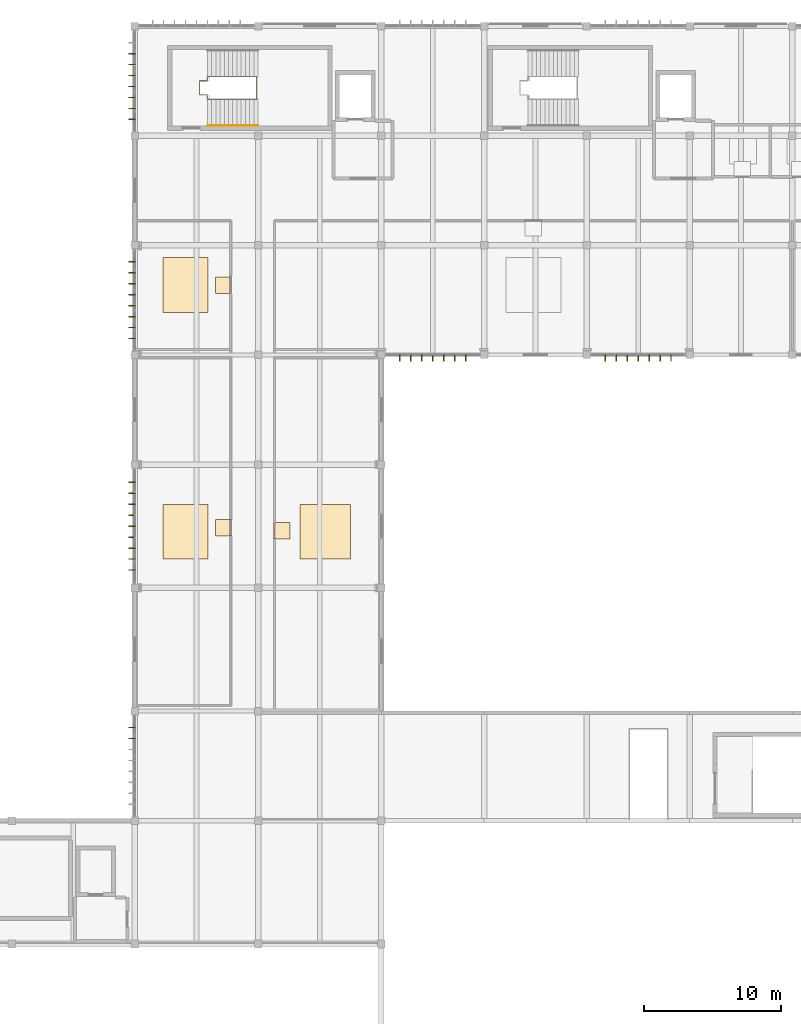
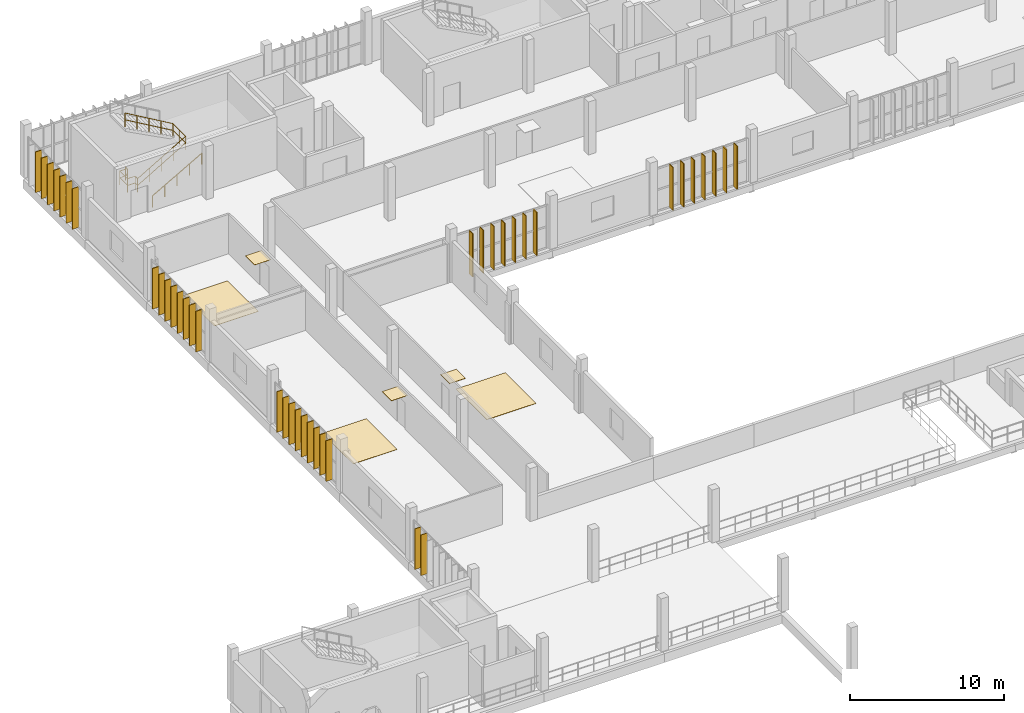
# One storey, part 54 of 61: 40 shading devices, 6 coverings, 3 railings.
"""IFC4 building model written with IfcOpenShell, lengths in metres."""

from ifc_helpers import new_model, si_unit, direction, frame, origin, origin_2d, place, context, subcontext, project, spatial, rectangle, circle, extrude, material, layer, layer_set, material_profile, profile_set, type_object, element, save


model = new_model("IFC4")

# Units and contexts
model_context = context("Model", 3, precision=1e-05, world=origin(), true_north=direction((0.0, 1.0)))
body_context = subcontext(model_context, "Body", "Model", "MODEL_VIEW")
ifc_project = project(units=[si_unit("LENGTHUNIT", "METRE"), si_unit("AREAUNIT", "SQUARE_METRE"), si_unit("VOLUMEUNIT", "CUBIC_METRE"), si_unit("PLANEANGLEUNIT", "RADIAN"), si_unit("MASSUNIT", "GRAM", prefix="KILO")], contexts=[model_context])

# Site, building, storey
site_placement = place(None, origin())
site = spatial("IfcSite", under=ifc_project, at=site_placement, CompositionType="ELEMENT")
building_placement = place(site_placement, origin())
building = spatial("IfcBuilding", under=site, at=building_placement, Name="Vourika Railside Aquatics Centre", CompositionType="ELEMENT")
storey_placement = place(building_placement, frame((0.0, 0.0, 9.300048828125)))
storey = spatial("IfcBuildingStorey", under=building, at=storey_placement, Name="L02", CompositionType="ELEMENT", Elevation=9.300048828125)

# Coverings
ifc_material_1 = material(Name="Perforated moisture-resistant acoustic gypsum ceiling")
ifc_layer_1 = layer(ifc_material_1, 0.02490234375, Name="COV-CEIL-25")
ifc_layer_set_1 = layer_set([ifc_layer_1], Name="Perforated moisture-resistant acoustic gypsum ceiling")
covering_type_1 = type_object("IfcCoveringType", Name="COV-CEIL-25", PredefinedType="CEILING", material=ifc_layer_set_1)
for number, where, z_axis, x_axis, name in (
    (1, (24.47998046875, 97.10009765625, 2.637451171875), (0.0, 0.0, 1.0), (1.0, 0.0, 0.0), "Manual Therapy and Osteopathy Suite Acoustic Ceiling Panel"),
    (2, (24.47998046875, 79.375, 2.637451171875), (0.0, 0.0, 1.0), (1.0, 0.0, 0.0), "Athlete Sports Psychology Consultation Rooms Acoustic Ceiling Panel"),
    (3, (28.719970703125, 79.16748046875, 2.637451171875), (0.0, 0.0, 1.0), (1.0, 0.0, 0.0), "Event Accreditation and Results Processing Suite Acoustic Ceiling Panel"),
):
    element("IfcCovering", number, at=place(storey_placement, frame(where, z_axis=z_axis, x_axis=x_axis)), inside=storey, type_object=covering_type_1, Name=name, PredefinedType="CEILING", context=body_context, shape_type="SweptSolid", body=[
        extrude(rectangle(XDim=1.199951171875, YDim=1.199951171875, at=origin_2d()), origin(), (0.0, 0.0, 1.0), 0.02490234375),
    ])
ifc_material_2 = material(Name="Slip-resistant aqua ceramic sports flooring")
ifc_layer_2 = layer(ifc_material_2, 0.02001953125, Name="COV-FLOR-20")
ifc_layer_set_2 = layer_set([ifc_layer_2], Name="Slip-resistant aqua ceramic sports flooring")
covering_type_2 = type_object("IfcCoveringType", Name="COV-FLOR-20", PredefinedType="FLOORING", material=ifc_layer_set_2)
for number, where, z_axis, x_axis, name in (
    (4, (21.699951171875, 97.10009765625, 0.0), (0.0, 0.0, 1.0), (1.0, 0.0, 0.0), "Manual Therapy and Osteopathy Suite Sports Flooring Panel"),
    (5, (21.699951171875, 79.10009765625, 0.0), (0.0, 0.0, 1.0), (1.0, 0.0, 0.0), "Athlete Sports Psychology Consultation Rooms Sports Flooring Panel"),
):
    element("IfcCovering", number, at=place(storey_placement, frame(where, z_axis=z_axis, x_axis=x_axis)), inside=storey, type_object=covering_type_2, Name=name, PredefinedType="FLOORING", context=body_context, shape_type="SweptSolid", body=[
        extrude(rectangle(XDim=3.300048828125, YDim=4.0, at=origin_2d()), origin(), (0.0, 0.0, 1.0), 0.02001953125),
    ])
covering_placement = place(storey_placement, frame((31.89990234375, 79.10009765625, 0.0), z_axis=(0.0, 0.0, 1.0), x_axis=(1.0, 0.0, 0.0)))
element("IfcCovering", 6, at=covering_placement, inside=storey, type_object=covering_type_2, Name="Event Accreditation and Results Processing Suite Sports Flooring Panel", PredefinedType="FLOORING", context=body_context, shape_type="SweptSolid", body=[
    extrude(rectangle(XDim=3.699951171875, YDim=4.0, at=origin_2d()), origin(), (0.0, 0.0, 1.0), 0.02001953125),
])

# Railings
ifc_material_3 = material(Name="Duplex stainless steel EN 1.4462", Category="steel")
railing_type_1 = type_object("IfcRailingType", Name="RL-HAND-920", PredefinedType="HANDRAIL", material=ifc_material_3)
railing_1_placement = place(storey_placement, frame((23.300048828125, 108.760009765625, 0.0)))
element("IfcRailing", 7, at=railing_1_placement, inside=storey, type_object=railing_type_1, Name="Protected Exit Stair Core ST01 Lower Wall Handrail (L02)", PredefinedType="HANDRAIL", context=body_context, shape_type="SweptSolid", body=[
    extrude(circle(Radius=0.02392578125, at=origin_2d()), frame((0.0, 0.0, 0.89599609375), z_axis=(0.869473936924, 0.0, 0.493978818382), x_axis=(0.0, 1.0, 0.0)), (0.0, 0.0, 1.0), 4.2509765625),
    extrude(circle(Radius=0.02099609375, at=origin_2d()), origin(), (0.0, 0.0, 1.0), 0.871826171875),
    extrude(circle(Radius=0.02099609375, at=origin_2d()), frame((0.924072265625, 0.0, 0.52490234375)), (0.0, 0.0, 1.0), 0.871826171875),
    extrude(circle(Radius=0.02099609375, at=origin_2d()), frame((1.84814453125, 0.0, 1.0498046875)), (0.0, 0.0, 1.0), 0.871826171875),
    extrude(circle(Radius=0.02099609375, at=origin_2d()), frame((2.77197265625, 0.0, 1.574951171875)), (0.0, 0.0, 1.0), 0.871826171875),
    extrude(circle(Radius=0.02099609375, at=origin_2d()), frame((3.696044921875, 0.0, 2.099853515625)), (0.0, 0.0, 1.0), 0.871826171875),
])
railing_type_2 = type_object("IfcRailingType", Name="RL-STAIR-1120", PredefinedType="BALUSTRADE", material=ifc_material_3)
railing_2_placement = place(storey_placement, frame((23.300048828125, 110.75, 0.0)))
element("IfcRailing", 8, at=railing_2_placement, inside=storey, type_object=railing_type_2, Name="Protected Exit Stair Core ST01 Well Edge Guard (L02)", PredefinedType="BALUSTRADE", context=body_context, shape_type="SweptSolid", body=[
    extrude(circle(Radius=0.02392578125, at=origin_2d()), frame((0.0, 0.0, 1.09619140625), z_axis=(0.0, 1.0, 0.0), x_axis=(-1.0, 0.0, 0.0)), (0.0, 0.0, 1.0), 0.25),
    extrude(circle(Radius=0.02392578125, at=origin_2d()), frame((0.0, 0.0, 0.56005859375), z_axis=(0.0, 1.0, 0.0), x_axis=(-1.0, 0.0, 0.0)), (0.0, 0.0, 1.0), 0.25),
    extrude(circle(Radius=0.02392578125, at=origin_2d()), frame((0.0, 0.25, 1.09619140625), z_axis=(-1.0, 0.0, 0.0), x_axis=(0.0, -1.0, 0.0)), (0.0, 0.0, 1.0), 0.570068359375),
    extrude(circle(Radius=0.02392578125, at=origin_2d()), frame((0.0, 0.25, 0.56005859375), z_axis=(-1.0, 0.0, 0.0), x_axis=(0.0, -1.0, 0.0)), (0.0, 0.0, 1.0), 0.570068359375),
    extrude(circle(Radius=0.02392578125, at=origin_2d()), frame((-0.570068359375, 0.25, 1.09619140625), z_axis=(0.0, 1.0, 0.0), x_axis=(-1.0, 0.0, 0.0)), (0.0, 0.0, 1.0), 1.0),
    extrude(circle(Radius=0.02392578125, at=origin_2d()), frame((-0.570068359375, 0.25, 0.56005859375), z_axis=(0.0, 1.0, 0.0), x_axis=(-1.0, 0.0, 0.0)), (0.0, 0.0, 1.0), 1.0),
    extrude(circle(Radius=0.02392578125, at=origin_2d()), frame((-0.570068359375, 1.25, 1.09619140625), z_axis=(1.0, 0.0, 0.0), x_axis=(0.0, 1.0, 0.0)), (0.0, 0.0, 1.0), 0.570068359375),
    extrude(circle(Radius=0.02392578125, at=origin_2d()), frame((-0.570068359375, 1.25, 0.56005859375), z_axis=(1.0, 0.0, 0.0), x_axis=(0.0, 1.0, 0.0)), (0.0, 0.0, 1.0), 0.570068359375),
    extrude(circle(Radius=0.02392578125, at=origin_2d()), frame((0.0, 1.25, 1.09619140625), z_axis=(0.0, 1.0, 0.0), x_axis=(-1.0, 0.0, 0.0)), (0.0, 0.0, 1.0), 0.25),
    extrude(circle(Radius=0.02392578125, at=origin_2d()), frame((0.0, 1.25, 0.56005859375), z_axis=(0.0, 1.0, 0.0), x_axis=(-1.0, 0.0, 0.0)), (0.0, 0.0, 1.0), 0.25),
    extrude(circle(Radius=0.02099609375, at=origin_2d()), origin(), (0.0, 0.0, 1.0), 1.072021484375),
    extrude(circle(Radius=0.02099609375, at=origin_2d()), frame((0.0, 0.25, 0.0)), (0.0, 0.0, 1.0), 1.072021484375),
    extrude(circle(Radius=0.02099609375, at=origin_2d()), frame((-0.570068359375, 0.25, 0.0)), (0.0, 0.0, 1.0), 1.072021484375),
    extrude(circle(Radius=0.02099609375, at=origin_2d()), frame((-0.570068359375, 1.25, 0.0)), (0.0, 0.0, 1.0), 1.072021484375),
    extrude(circle(Radius=0.02099609375, at=origin_2d()), frame((0.0, 1.25, 0.0)), (0.0, 0.0, 1.0), 1.072021484375),
    extrude(circle(Radius=0.02099609375, at=origin_2d()), frame((0.0, 1.5, 0.0)), (0.0, 0.0, 1.0), 1.072021484375),
])
railing_3_placement = place(storey_placement, frame((23.300048828125, 110.679931640625, 0.0)))
element("IfcRailing", 9, at=railing_3_placement, inside=storey, type_object=railing_type_2, Name="Protected Exit Stair Core ST01 Center Well Guard (L02)", PredefinedType="BALUSTRADE", context=body_context, shape_type="SweptSolid", body=[
    extrude(circle(Radius=0.02392578125, at=origin_2d()), frame((0.0, 0.0, 1.09619140625), z_axis=(0.863547027374, 0.0, 0.504268313018), x_axis=(0.0, 1.0, 0.0)), (0.0, 0.0, 1.0), 4.1640625),
    extrude(circle(Radius=0.02392578125, at=origin_2d()), frame((0.0, 0.0, 0.56005859375), z_axis=(0.863547027374, 0.0, 0.504268313018), x_axis=(0.0, 1.0, 0.0)), (0.0, 0.0, 1.0), 4.1640625),
    extrude(circle(Radius=0.02392578125, at=origin_2d()), frame((3.595947265625, 0.0, 3.19580078125), z_axis=(0.0, 1.0, 0.0), x_axis=(-1.0, 0.0, 0.0)), (0.0, 0.0, 1.0), 1.64013671875),
    extrude(circle(Radius=0.02392578125, at=origin_2d()), frame((3.595947265625, 0.0, 2.659912109375), z_axis=(0.0, 1.0, 0.0), x_axis=(-1.0, 0.0, 0.0)), (0.0, 0.0, 1.0), 1.64013671875),
    extrude(circle(Radius=0.02392578125, at=origin_2d()), frame((3.595947265625, 1.64013671875, 3.19580078125), z_axis=(-0.863521496458, 0.0, 0.504312031539), x_axis=(0.0, -1.0, 0.0)), (0.0, 0.0, 1.0), 4.164306640625),
    extrude(circle(Radius=0.02392578125, at=origin_2d()), frame((3.595947265625, 1.64013671875, 2.659912109375), z_axis=(-0.863521496458, 0.0, 0.504312031539), x_axis=(0.0, -1.0, 0.0)), (0.0, 0.0, 1.0), 4.164306640625),
    extrude(circle(Radius=0.02099609375, at=origin_2d()), origin(), (0.0, 0.0, 1.0), 1.072021484375),
    extrude(circle(Radius=0.02099609375, at=origin_2d()), frame((0.89892578125, 0.0, 0.52490234375)), (0.0, 0.0, 1.0), 1.072021484375),
    extrude(circle(Radius=0.02099609375, at=origin_2d()), frame((1.7978515625, 0.0, 1.0498046875)), (0.0, 0.0, 1.0), 1.072021484375),
    extrude(circle(Radius=0.02099609375, at=origin_2d()), frame((2.697021484375, 0.0, 1.574951171875)), (0.0, 0.0, 1.0), 1.072021484375),
    extrude(circle(Radius=0.02099609375, at=origin_2d()), frame((3.595947265625, 0.0, 2.099853515625)), (0.0, 0.0, 1.0), 1.072021484375),
    extrude(circle(Radius=0.02099609375, at=origin_2d()), frame((3.595947265625, 0.820068359375, 2.099853515625)), (0.0, 0.0, 1.0), 1.072021484375),
    extrude(circle(Radius=0.02099609375, at=origin_2d()), frame((3.595947265625, 1.64013671875, 2.099853515625)), (0.0, 0.0, 1.0), 1.072021484375),
    extrude(circle(Radius=0.02099609375, at=origin_2d()), frame((2.697021484375, 1.64013671875, 2.625)), (0.0, 0.0, 1.0), 1.072021484375),
    extrude(circle(Radius=0.02099609375, at=origin_2d()), frame((1.7978515625, 1.64013671875, 3.14990234375)), (0.0, 0.0, 1.0), 1.072021484375),
    extrude(circle(Radius=0.02099609375, at=origin_2d()), frame((0.89892578125, 1.64013671875, 3.6748046875)), (0.0, 0.0, 1.0), 1.072021484375),
    extrude(circle(Radius=0.02099609375, at=origin_2d()), frame((0.0, 1.64013671875, 4.199951171875)), (0.0, 0.0, 1.0), 1.072021484375),
])

# Shading devices
ifc_material_4 = material(Name="Bronze-anodized extruded aluminium", Category="aluminium")
ifc_material_profile = material_profile(ifc_material_4, rectangle(XDim=0.06005859375, YDim=0.47998046875, at=origin_2d()), Name="ALU-FIN 60x480")
ifc_profile_set = profile_set([ifc_material_profile], Name="Bronze-anodized extruded aluminium")
shading_device_type = type_object("IfcShadingDeviceType", Name="SHD-FIN-F48A", PredefinedType="USERDEFINED", material=ifc_profile_set)
for number, where, z_axis, x_axis, name in (
    (10, (37.35009765625, 91.784912109375, 0.0), (0.0, 0.0, 1.0), (-1.0, 0.0, 0.0), "Vertical Solar Fin VSF-0922"),
    (11, (38.14990234375, 91.784912109375, 0.0), (0.0, 0.0, 1.0), (-1.0, 0.0, 0.0), "Vertical Solar Fin VSF-0923"),
    (12, (38.949951171875, 91.784912109375, 0.0), (0.0, 0.0, 1.0), (-1.0, 0.0, 0.0), "Vertical Solar Fin VSF-0924"),
    (13, (39.75, 91.784912109375, 0.0), (0.0, 0.0, 1.0), (-1.0, 0.0, 0.0), "Vertical Solar Fin VSF-0925"),
    (14, (40.550048828125, 91.784912109375, 0.0), (0.0, 0.0, 1.0), (-1.0, 0.0, 0.0), "Vertical Solar Fin VSF-0926"),
    (15, (41.35009765625, 91.784912109375, 0.0), (0.0, 0.0, 1.0), (-1.0, 0.0, 0.0), "Vertical Solar Fin VSF-0927"),
    (16, (42.14990234375, 91.784912109375, 0.0), (0.0, 0.0, 1.0), (-1.0, 0.0, 0.0), "Vertical Solar Fin VSF-0928"),
    (17, (52.35009765625, 91.784912109375, 0.0), (0.0, 0.0, 1.0), (-1.0, 0.0, 0.0), "Vertical Solar Fin VSF-0929"),
    (18, (53.14990234375, 91.784912109375, 0.0), (0.0, 0.0, 1.0), (-1.0, 0.0, 0.0), "Vertical Solar Fin VSF-0930"),
    (19, (53.949951171875, 91.784912109375, 0.0), (0.0, 0.0, 1.0), (-1.0, 0.0, 0.0), "Vertical Solar Fin VSF-0931"),
    (20, (54.75, 91.784912109375, 0.0), (0.0, 0.0, 1.0), (-1.0, 0.0, 0.0), "Vertical Solar Fin VSF-0932"),
    (21, (55.550048828125, 91.784912109375, 0.0), (0.0, 0.0, 1.0), (-1.0, 0.0, 0.0), "Vertical Solar Fin VSF-0933"),
    (22, (56.35009765625, 91.784912109375, 0.0), (0.0, 0.0, 1.0), (-1.0, 0.0, 0.0), "Vertical Solar Fin VSF-0934"),
    (23, (57.14990234375, 91.784912109375, 0.0), (0.0, 0.0, 1.0), (-1.0, 0.0, 0.0), "Vertical Solar Fin VSF-0935"),
):
    element("IfcShadingDevice", number, at=place(storey_placement, frame(where, z_axis=z_axis, x_axis=x_axis)), inside=storey, type_object=shading_device_type, Name=name, ObjectType="FIN", PredefinedType="USERDEFINED", context=body_context, shape_type="SweptSolid", body=[
        extrude(rectangle(XDim=0.06005859375, YDim=0.47998046875, at=origin_2d()), origin(), (0.0, 0.0, 1.0), 3.419921875),
    ])
for number, where, z_axis, x_axis, name in (
    (24, (17.784912109375, 64.0, 0.0), (0.0, 0.0, 1.0), (0.0, 1.0, 0.0), "Vertical Solar Fin VSF-0977"),
    (25, (17.784912109375, 64.800048828125, 0.0), (0.0, 0.0, 1.0), (0.0, 1.0, 0.0), "Vertical Solar Fin VSF-0978"),
    (26, (17.784912109375, 76.300048828125, 0.0), (0.0, 0.0, 1.0), (0.0, 1.0, 0.0), "Vertical Solar Fin VSF-0979"),
    (27, (17.784912109375, 77.10009765625, 0.0), (0.0, 0.0, 1.0), (0.0, 1.0, 0.0), "Vertical Solar Fin VSF-0980"),
    (28, (17.784912109375, 77.89990234375, 0.0), (0.0, 0.0, 1.0), (0.0, 1.0, 0.0), "Vertical Solar Fin VSF-0981"),
    (29, (17.784912109375, 78.699951171875, 0.0), (0.0, 0.0, 1.0), (0.0, 1.0, 0.0), "Vertical Solar Fin VSF-0982"),
    (30, (17.784912109375, 79.5, 0.0), (0.0, 0.0, 1.0), (0.0, 1.0, 0.0), "Vertical Solar Fin VSF-0983"),
    (31, (17.784912109375, 80.300048828125, 0.0), (0.0, 0.0, 1.0), (0.0, 1.0, 0.0), "Vertical Solar Fin VSF-0984"),
    (32, (17.784912109375, 81.10009765625, 0.0), (0.0, 0.0, 1.0), (0.0, 1.0, 0.0), "Vertical Solar Fin VSF-0985"),
    (33, (17.784912109375, 81.89990234375, 0.0), (0.0, 0.0, 1.0), (0.0, 1.0, 0.0), "Vertical Solar Fin VSF-0986"),
    (34, (17.784912109375, 82.699951171875, 0.0), (0.0, 0.0, 1.0), (0.0, 1.0, 0.0), "Vertical Solar Fin VSF-0987"),
    (35, (17.784912109375, 93.199951171875, 0.0), (0.0, 0.0, 1.0), (0.0, 1.0, 0.0), "Vertical Solar Fin VSF-0988"),
    (36, (17.784912109375, 94.0, 0.0), (0.0, 0.0, 1.0), (0.0, 1.0, 0.0), "Vertical Solar Fin VSF-0989"),
    (37, (17.784912109375, 94.800048828125, 0.0), (0.0, 0.0, 1.0), (0.0, 1.0, 0.0), "Vertical Solar Fin VSF-0990"),
    (38, (17.784912109375, 95.60009765625, 0.0), (0.0, 0.0, 1.0), (0.0, 1.0, 0.0), "Vertical Solar Fin VSF-0991"),
    (39, (17.784912109375, 96.39990234375, 0.0), (0.0, 0.0, 1.0), (0.0, 1.0, 0.0), "Vertical Solar Fin VSF-0992"),
    (40, (17.784912109375, 97.199951171875, 0.0), (0.0, 0.0, 1.0), (0.0, 1.0, 0.0), "Vertical Solar Fin VSF-0993"),
    (41, (17.784912109375, 98.0, 0.0), (0.0, 0.0, 1.0), (0.0, 1.0, 0.0), "Vertical Solar Fin VSF-0994"),
    (42, (17.784912109375, 98.800048828125, 0.0), (0.0, 0.0, 1.0), (0.0, 1.0, 0.0), "Vertical Solar Fin VSF-0995"),
    (43, (17.784912109375, 109.199951171875, 0.0), (0.0, 0.0, 1.0), (0.0, 1.0, 0.0), "Vertical Solar Fin VSF-0996"),
    (44, (17.784912109375, 110.0, 0.0), (0.0, 0.0, 1.0), (0.0, 1.0, 0.0), "Vertical Solar Fin VSF-0997"),
    (45, (17.784912109375, 110.800048828125, 0.0), (0.0, 0.0, 1.0), (0.0, 1.0, 0.0), "Vertical Solar Fin VSF-0998"),
    (46, (17.784912109375, 111.60009765625, 0.0), (0.0, 0.0, 1.0), (0.0, 1.0, 0.0), "Vertical Solar Fin VSF-0999"),
    (47, (17.784912109375, 112.39990234375, 0.0), (0.0, 0.0, 1.0), (0.0, 1.0, 0.0), "Vertical Solar Fin VSF-1000"),
    (48, (17.784912109375, 113.199951171875, 0.0), (0.0, 0.0, 1.0), (0.0, 1.0, 0.0), "Vertical Solar Fin VSF-1001"),
    (49, (17.784912109375, 114.0, 0.0), (0.0, 0.0, 1.0), (0.0, 1.0, 0.0), "Vertical Solar Fin VSF-1002"),
):
    element("IfcShadingDevice", number, at=place(storey_placement, frame(where, z_axis=z_axis, x_axis=x_axis)), inside=storey, type_object=shading_device_type, Name=name, ObjectType="FIN", PredefinedType="USERDEFINED", context=body_context, shape_type="SweptSolid", body=[
        extrude(rectangle(XDim=0.06005859375, YDim=0.47998046875, at=origin_2d()), origin(), (0.0, 0.0, 1.0), 3.219970703125),
    ])

save(model, "model.ifc")
